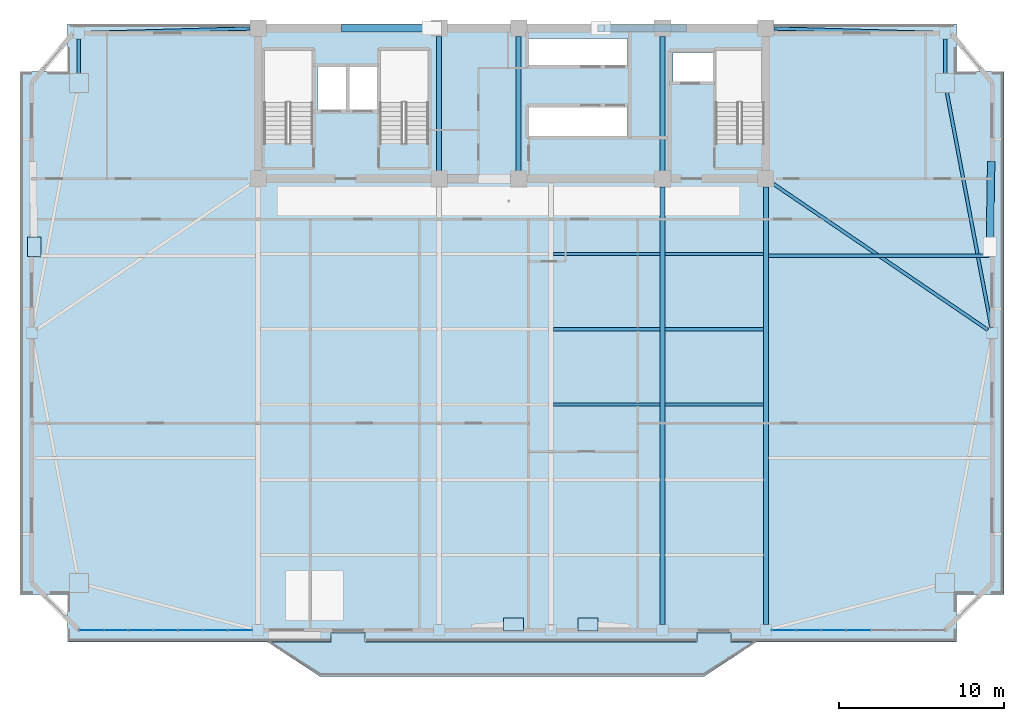
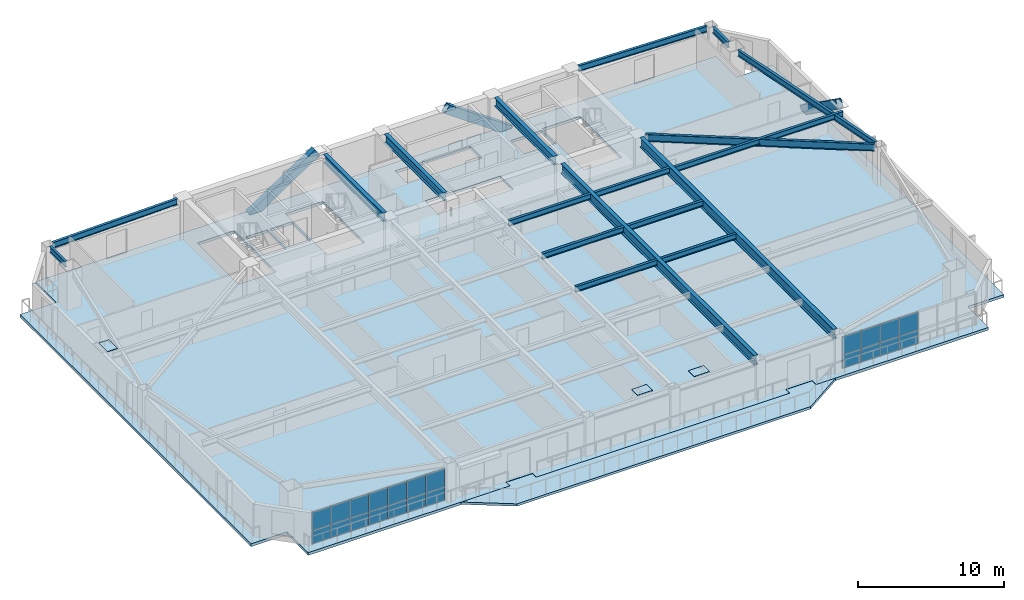
# One storey, part 6 of 15: 25 plates, 18 beams, 3 members, 2 slabs, 2 elements without a shape of their own.
"""IFC4 building model written with IfcOpenShell, lengths in metres."""

from ifc_helpers import new_model, si_unit, direction, frame, origin, origin_2d, place, context, subcontext, project, spatial, polyline, rectangle, hollow_rectangle, i_section, outline, extrude, source, transform, mapped, material, layer, layer_set, material_profile, profile_set, type_object, element, aggregate, save


model = new_model("IFC4")

# Units and contexts
model_context = context("Model", 3, precision=1e-05, world=origin(), true_north=direction((0.0, 1.0)))
body_context = subcontext(model_context, "Body", "Model", "MODEL_VIEW")
ifc_project = project(units=[si_unit("LENGTHUNIT", "METRE"), si_unit("AREAUNIT", "SQUARE_METRE"), si_unit("VOLUMEUNIT", "CUBIC_METRE"), si_unit("PLANEANGLEUNIT", "RADIAN"), si_unit("MASSUNIT", "GRAM", prefix="KILO")], contexts=[model_context])

# Site, building, storey
site_placement = place(None, origin())
site = spatial("IfcSite", under=ifc_project, at=site_placement, CompositionType="ELEMENT")
building_placement = place(site_placement, origin())
building = spatial("IfcBuilding", under=site, at=building_placement, Name="Giltprow Tower", CompositionType="ELEMENT")
storey_placement = place(building_placement, frame((0.0, 0.0, 184.199951171875)))
storey = spatial("IfcBuildingStorey", under=building, at=storey_placement, Name="L46", CompositionType="ELEMENT", Elevation=184.199951171875)

# Beams
ifc_material_1 = material(Name="Structural steel Q355B", Category="steel")
ifc_material_profile_1 = material_profile(ifc_material_1, i_section(OverallWidth=0.199951171875, OverallDepth=0.449951171875, WebThickness=0.009033203125, FlangeThickness=0.013916015625, at=origin_2d()), Name="HN 450x200x9x14")
ifc_profile_set_1 = profile_set([ifc_material_profile_1], Name="Structural steel Q355B")
beam_type_1 = type_object("IfcBeamType", Name="BM-JOIST-HN450", PredefinedType="JOIST", material=ifc_profile_set_1)
shared_shape_1 = source(origin(), body_context, "Body", "SweptSolid", [
    extrude(i_section(OverallWidth=0.199951171875, OverallDepth=0.449951171875, WebThickness=0.009033203125, FlangeThickness=0.013916015625, at=origin_2d()), origin(), (0.0, 0.0, 1.0), 6.4599609375),
])
for number, where, z_axis, x_axis, name in (
    (1, (37.695068359375, 23.802001953125, 3.045166015625), (1.0, 0.0, 0.0), (0.0, 1.0, 0.0), "L46 Composite Floor Joist 3-3"),
    (2, (37.695068359375, 28.35107421875, 3.045166015625), (1.0, 0.0, 0.0), (0.0, 1.0, 0.0), "L46 Composite Floor Joist 4-3"),
    (3, (37.695068359375, 32.90087890625, 3.045166015625), (1.0, 0.0, 0.0), (0.0, 1.0, 0.0), "L46 Composite Floor Joist 5-3"),
):
    element("IfcBeam", number, at=place(storey_placement, frame(where, z_axis=z_axis, x_axis=x_axis)), inside=storey, type_object=beam_type_1, Name=name, PredefinedType="JOIST", context=body_context, shape_type="MappedRepresentation", body=[
        mapped(shared_shape_1, transform((0.0, 0.0, 0.0), x_axis=(1.0, 0.0, 0.0), y_axis=(0.0, 1.0, 0.0), z_axis=(0.0, 0.0, 1.0), scale=1.0)),
    ])
shared_shape_2 = source(origin(), body_context, "Body", "SweptSolid", [
    extrude(i_section(OverallWidth=0.199951171875, OverallDepth=0.449951171875, WebThickness=0.009033203125, FlangeThickness=0.013916015625, at=origin_2d()), origin(), (0.0, 0.0, 1.0), 5.9599609375),
])
for number, where, z_axis, x_axis, name in (
    (4, (44.445068359375, 23.802001953125, 3.045166015625), (1.0, 0.0, 0.0), (0.0, 1.0, 0.0), "L46 Composite Floor Joist 3-4"),
    (5, (44.445068359375, 28.35107421875, 3.045166015625), (1.0, 0.0, 0.0), (0.0, 1.0, 0.0), "L46 Composite Floor Joist 4-4"),
    (6, (44.445068359375, 32.90087890625, 3.045166015625), (1.0, 0.0, 0.0), (0.0, 1.0, 0.0), "L46 Composite Floor Joist 5-4"),
):
    element("IfcBeam", number, at=place(storey_placement, frame(where, z_axis=z_axis, x_axis=x_axis)), inside=storey, type_object=beam_type_1, Name=name, PredefinedType="JOIST", context=body_context, shape_type="MappedRepresentation", body=[
        mapped(shared_shape_2, transform((0.0, 0.0, 0.0), x_axis=(1.0, 0.0, 0.0), y_axis=(0.0, 1.0, 0.0), z_axis=(0.0, 0.0, 1.0), scale=1.0)),
    ])
ifc_material_profile_2 = material_profile(ifc_material_1, i_section(OverallWidth=0.300048828125, OverallDepth=0.699951171875, WebThickness=0.012939453125, FlangeThickness=0.02392578125, at=origin_2d()), Name="HN 700x300x13x24")
ifc_profile_set_2 = profile_set([ifc_material_profile_2], Name="Structural steel Q355B")
beam_type_2 = type_object("IfcBeamType", Name="BM-GIRD-HN700", PredefinedType="BEAM", material=ifc_profile_set_2)
shared_shape_3 = source(origin(), body_context, "Body", "SweptSolid", [
    extrude(i_section(OverallWidth=0.300048828125, OverallDepth=0.699951171875, WebThickness=0.012939453125, FlangeThickness=0.02392578125, at=origin_2d()), origin(), (0.0, 0.0, 1.0), 8.1298828125),
])
for number, where, z_axis, x_axis, name in (
    (7, (30.800048828125, 37.93505859375, 2.920166015625), (0.0, 1.0, 0.0), (-1.0, 0.0, 0.0), "L46 Core Tie Girder M1"),
    (8, (35.60009765625, 37.93505859375, 2.920166015625), (0.0, 1.0, 0.0), (-1.0, 0.0, 0.0), "L46 Core Tie Girder M2"),
    (9, (44.300048828125, 37.93505859375, 2.920166015625), (0.0, 1.0, 0.0), (-1.0, 0.0, 0.0), "L46 Core Tie Girder M3"),
):
    element("IfcBeam", number, at=place(storey_placement, frame(where, z_axis=z_axis, x_axis=x_axis)), inside=storey, type_object=beam_type_2, Name=name, PredefinedType="BEAM", context=body_context, shape_type="MappedRepresentation", body=[
        mapped(shared_shape_3, transform((0.0, 0.0, 0.0), x_axis=(1.0, 0.0, 0.0), y_axis=(0.0, 1.0, 0.0), z_axis=(0.0, 0.0, 1.0), scale=1.0)),
    ])
ifc_material_profile_3 = material_profile(ifc_material_1, i_section(OverallWidth=0.199951171875, OverallDepth=0.5, WebThickness=0.010009765625, FlangeThickness=0.01611328125, at=origin_2d()), Name="HN 500x200x10x16")
ifc_profile_set_3 = profile_set([ifc_material_profile_3], Name="Structural steel Q355B")
beam_type_3 = type_object("IfcBeamType", Name="BM-SPAN-HN500", PredefinedType="SPANDREL", material=ifc_profile_set_3)
shared_shape_4 = source(origin(), body_context, "Body", "SweptSolid", [
    extrude(i_section(OverallWidth=0.199951171875, OverallDepth=0.5, WebThickness=0.010009765625, FlangeThickness=0.01611328125, at=origin_2d()), origin(), (0.0, 0.0, 1.0), 14.46044921875),
])
beam_1_placement = place(storey_placement, frame((64.18505859375, 28.4560546875, 3.02001953125), z_axis=(-0.186021185186, 0.982545733624, 0.0), x_axis=(-0.982545733624, -0.186021185186, 0.0)))
element("IfcBeam", 10, at=beam_1_placement, inside=storey, type_object=beam_type_3, Name="L46 Perimeter Spandrel Beam E_MID-MC_NE", PredefinedType="SPANDREL", context=body_context, shape_type="MappedRepresentation", body=[
    mapped(shared_shape_4, transform((0.0, 0.0, 0.0), x_axis=(1.0, 0.0, 0.0), y_axis=(0.0, 1.0, 0.0), z_axis=(0.0, 0.0, 1.0), scale=1.0)),
])
shared_shape_5 = source(origin(), body_context, "Body", "SweptSolid", [
    extrude(i_section(OverallWidth=0.199951171875, OverallDepth=0.5, WebThickness=0.010009765625, FlangeThickness=0.01611328125, at=origin_2d()), origin(), (0.0, 0.0, 1.0), 2.091064453125),
])
for number, where, z_axis, x_axis, name in (
    (11, (61.385986328125, 43.823974609375, 3.02001953125), (0.0, 1.0, 0.0), (-1.0, 0.0, 0.0), "L46 Perimeter Spandrel Beam MC_NE-N_E"),
    (12, (9.014892578125, 45.9150390625, 3.02001953125), (0.0, -1.0, 0.0), (1.0, 0.0, 0.0), "L46 Perimeter Spandrel Beam N_W-MC_NW"),
):
    element("IfcBeam", number, at=place(storey_placement, frame(where, z_axis=z_axis, x_axis=x_axis)), inside=storey, type_object=beam_type_3, Name=name, PredefinedType="SPANDREL", context=body_context, shape_type="MappedRepresentation", body=[
        mapped(shared_shape_5, transform((0.0, 0.0, 0.0), x_axis=(1.0, 0.0, 0.0), y_axis=(0.0, 1.0, 0.0), z_axis=(0.0, 0.0, 1.0), scale=1.0)),
    ])
shared_shape_6 = source(origin(), body_context, "Body", "SweptSolid", [
    extrude(i_section(OverallWidth=0.199951171875, OverallDepth=0.5, WebThickness=0.010009765625, FlangeThickness=0.01611328125, at=origin_2d()), origin(), (0.0, 0.0, 1.0), 10.018798828125),
])
beam_2_placement = place(storey_placement, frame((9.35009765625, 46.259033203125, 3.02001953125), z_axis=(0.999614739987, 0.027755568827, 0.0), x_axis=(-0.027755568827, 0.999614739987, 0.0)))
element("IfcBeam", 13, at=beam_2_placement, inside=storey, type_object=beam_type_3, Name="L46 North Wing Spandrel W", PredefinedType="SPANDREL", context=body_context, shape_type="MappedRepresentation", body=[
    mapped(shared_shape_6, transform((0.0, 0.0, 0.0), x_axis=(1.0, 0.0, 0.0), y_axis=(0.0, 1.0, 0.0), z_axis=(0.0, 0.0, 1.0), scale=1.0)),
])
shared_shape_7 = source(origin(), body_context, "Body", "SweptSolid", [
    extrude(i_section(OverallWidth=0.199951171875, OverallDepth=0.5, WebThickness=0.010009765625, FlangeThickness=0.01611328125, at=origin_2d()), origin(), (0.0, 0.0, 1.0), 10.02001953125),
])
beam_3_placement = place(storey_placement, frame((51.034912109375, 46.537109375, 3.02001953125), z_axis=(0.999614833833, -0.027752188752, 0.0), x_axis=(0.027752188752, 0.999614833833, 0.0)))
element("IfcBeam", 14, at=beam_3_placement, inside=storey, type_object=beam_type_3, Name="L46 North Wing Spandrel E", PredefinedType="SPANDREL", context=body_context, shape_type="MappedRepresentation", body=[
    mapped(shared_shape_7, transform((0.0, 0.0, 0.0), x_axis=(1.0, 0.0, 0.0), y_axis=(0.0, 1.0, 0.0), z_axis=(0.0, 0.0, 1.0), scale=1.0)),
])
ifc_material_profile_4 = material_profile(ifc_material_1, i_section(OverallWidth=0.300048828125, OverallDepth=0.800048828125, WebThickness=0.013916015625, FlangeThickness=0.02587890625, at=origin_2d()), Name="HN 800x300x14x26")
ifc_profile_set_4 = profile_set([ifc_material_profile_4], Name="Structural steel Q355B")
beam_type_4 = type_object("IfcBeamType", Name="BM-GIRD-HN800", PredefinedType="BEAM", material=ifc_profile_set_4)
shared_shape_8 = source(origin(), body_context, "Body", "SweptSolid", [
    extrude(i_section(OverallWidth=0.300048828125, OverallDepth=0.800048828125, WebThickness=0.013916015625, FlangeThickness=0.02587890625, at=origin_2d()), origin(), (0.0, 0.0, 1.0), 26.47607421875),
])
for number, where, z_axis, x_axis, name in (
    (15, (44.300048828125, 10.489013671875, 2.8701171875), (0.0, 1.0, 0.0), (-1.0, 0.0, 0.0), "L46 Primary Lease Girder S3"),
    (16, (50.550048828125, 10.489013671875, 2.8701171875), (0.0, 1.0, 0.0), (-1.0, 0.0, 0.0), "L46 Primary Lease Girder S4"),
):
    element("IfcBeam", number, at=place(storey_placement, frame(where, z_axis=z_axis, x_axis=x_axis)), inside=storey, type_object=beam_type_4, Name=name, PredefinedType="BEAM", context=body_context, shape_type="MappedRepresentation", body=[
        mapped(shared_shape_8, transform((0.0, 0.0, 0.0), x_axis=(1.0, 0.0, 0.0), y_axis=(0.0, 1.0, 0.0), z_axis=(0.0, 0.0, 1.0), scale=1.0)),
    ])
ifc_material_profile_5 = material_profile(ifc_material_1, i_section(OverallWidth=0.199951171875, OverallDepth=0.60009765625, WebThickness=0.010986328125, FlangeThickness=0.01708984375, at=origin_2d()), Name="HN 600x200x11x17")
ifc_profile_set_5 = profile_set([ifc_material_profile_5], Name="Structural steel Q355B")
beam_type_5 = type_object("IfcBeamType", Name="BM-GIRD-HN600", PredefinedType="BEAM", material=ifc_profile_set_5)
shared_shape_9 = source(origin(), body_context, "Body", "SweptSolid", [
    extrude(i_section(OverallWidth=0.199951171875, OverallDepth=0.60009765625, WebThickness=0.010986328125, FlangeThickness=0.01708984375, at=origin_2d()), origin(), (0.0, 0.0, 1.0), 15.7490234375),
])
beam_4_placement = place(storey_placement, frame((63.969970703125, 28.31494140625, 2.969970703125), z_axis=(-0.826657395896, 0.56270556227, 0.0), x_axis=(-0.56270556227, -0.826657395896, 0.0)))
element("IfcBeam", 17, at=beam_4_placement, inside=storey, type_object=beam_type_5, Name="L46 East Wing Primary Girder", PredefinedType="BEAM", context=body_context, shape_type="MappedRepresentation", body=[
    mapped(shared_shape_9, transform((0.0, 0.0, 0.0), x_axis=(1.0, 0.0, 0.0), y_axis=(0.0, 1.0, 0.0), z_axis=(0.0, 0.0, 1.0), scale=1.0)),
])
shared_shape_10 = source(origin(), body_context, "Body", "SweptSolid", [
    extrude(i_section(OverallWidth=0.199951171875, OverallDepth=0.449951171875, WebThickness=0.009033203125, FlangeThickness=0.013916015625, at=origin_2d()), origin(), (0.0, 0.0, 1.0), 13.33203125),
])
beam_5_placement = place(storey_placement, frame((50.695068359375, 32.7880859375, 3.045166015625), z_axis=(1.0, 0.0, 0.0), x_axis=(0.0, 1.0, 0.0)))
element("IfcBeam", 18, at=beam_5_placement, inside=storey, type_object=beam_type_1, Name="L46 East Wing Floor Joist 2", PredefinedType="JOIST", context=body_context, shape_type="MappedRepresentation", body=[
    mapped(shared_shape_10, transform((0.0, 0.0, 0.0), x_axis=(1.0, 0.0, 0.0), y_axis=(0.0, 1.0, 0.0), z_axis=(0.0, 0.0, 1.0), scale=1.0)),
])

# Members
ifc_material_2 = material(Name="Structural steel Q420GJC", Category="steel")
ifc_material_profile_6 = material_profile(ifc_material_2, hollow_rectangle(XDim=0.449951171875, YDim=0.699951171875, WallThickness=0.031982421875, at=origin_2d()), Name="RHS 700x450x32")
ifc_profile_set_6 = profile_set([ifc_material_profile_6], Name="Structural steel Q420GJC")
member_type = type_object("IfcMemberType", Name="MBR-MEGA-RHS700", PredefinedType="BRACE", material=ifc_profile_set_6)
shared_shape_11 = source(origin(), body_context, "Body", "SweptSolid", [
    extrude(hollow_rectangle(XDim=0.449951171875, YDim=0.699951171875, WallThickness=0.031982421875, at=origin_2d()), origin(), (0.0, 0.0, 1.0), 6.309814453125),
])
member_1_placement = place(storey_placement, frame((25.10009765625, 46.550048828125, -0.139892578125), z_axis=(0.832050294338, 0.0, 0.554700196225), x_axis=(0.0, 1.0, 0.0)))
element("IfcMember", 19, at=member_1_placement, inside=storey, type_object=member_type, Name="L46 Chevron Mega-Brace N-L", PredefinedType="BRACE", context=body_context, shape_type="MappedRepresentation", body=[
    mapped(shared_shape_11, transform((0.0, 0.0, 0.0), x_axis=(1.0, 0.0, 0.0), y_axis=(0.0, 1.0, 0.0), z_axis=(0.0, 0.0, 1.0), scale=1.0)),
])
shared_shape_12 = source(origin(), body_context, "Body", "SweptSolid", [
    extrude(hollow_rectangle(XDim=0.449951171875, YDim=0.699951171875, WallThickness=0.031982421875, at=origin_2d()), origin(), (0.0, 0.0, 1.0), 6.090087890625),
])
member_2_placement = place(storey_placement, frame((45.56689453125, 46.550048828125, -0.139892578125), z_axis=(-0.81836087487, 0.0, 0.574704688064), x_axis=(0.0, -1.0, 0.0)))
element("IfcMember", 20, at=member_2_placement, inside=storey, type_object=member_type, Name="L46 Chevron Mega-Brace N-R", PredefinedType="BRACE", context=body_context, shape_type="MappedRepresentation", body=[
    mapped(shared_shape_12, transform((0.0, 0.0, 0.0), x_axis=(1.0, 0.0, 0.0), y_axis=(0.0, 1.0, 0.0), z_axis=(0.0, 0.0, 1.0), scale=1.0)),
])
shared_shape_13 = source(origin(), body_context, "Body", "SweptSolid", [
    extrude(hollow_rectangle(XDim=0.449951171875, YDim=0.699951171875, WallThickness=0.031982421875, at=origin_2d()), origin(), (0.0, 0.0, 1.0), 6.06201171875),
])
member_3_placement = place(storey_placement, frame((64.1689453125, 38.2890625, 0.0), z_axis=(-0.013008354483, -0.816384996077, 0.577361516638), x_axis=(0.999873076508, -0.015932070629, 0.0)))
element("IfcMember", 21, at=member_3_placement, inside=storey, type_object=member_type, Name="L46 Chevron Mega-Brace E-R", PredefinedType="BRACE", context=body_context, shape_type="MappedRepresentation", body=[
    mapped(shared_shape_13, transform((0.0, 0.0, 0.0), x_axis=(1.0, 0.0, 0.0), y_axis=(0.0, 1.0, 0.0), z_axis=(0.0, 0.0, 1.0), scale=1.0)),
])

# Slabs
ifc_material_3 = material(Name="Concrete C40", Category="concrete")
ifc_layer_1 = layer(ifc_material_3, 0.199951171875, Name="Concrete C40")
ifc_layer_set_1 = layer_set([ifc_layer_1], Name="Concrete C40")
slab_type_1 = type_object("IfcSlabType", Name="SLB-BALC-BRONZE-200", PredefinedType="FLOOR", material=ifc_layer_set_1)
slab_1_placement = place(storey_placement, frame((0.0, 0.0, -0.199951171875)))
element("IfcSlab", 22, at=slab_1_placement, inside=storey, type_object=slab_type_1, Name="L46 Bronze Prow Waterfront Balcony Slab", PredefinedType="FLOOR", context=body_context, shape_type="SweptSolid", body=[
    extrude(outline(polyline([(50.0, 9.4541015625), (46.800048828125, 7.35400390625), (23.60009765625, 7.35400390625), (20.39990234375, 9.4541015625), (24.280029296875, 9.4541015625), (24.280029296875, 9.9541015625), (26.320068359375, 9.9541015625), (26.320068359375, 9.4541015625), (46.3798828125, 9.4541015625), (46.3798828125, 9.9541015625), (48.419921875, 9.9541015625), (48.419921875, 9.4541015625), (50.0, 9.4541015625)])), origin(), (0.0, 0.0, 1.0), 0.199951171875),
])
ifc_layer_2 = layer(ifc_material_3, 0.22998046875, Name="Concrete C40")
ifc_layer_set_2 = layer_set([ifc_layer_2], Name="Concrete C40")
slab_type_2 = type_object("IfcSlabType", Name="SLB-HTL-230", PredefinedType="FLOOR", material=ifc_layer_set_2)
slab_2_placement = place(storey_placement, frame((0.0, 0.0, -0.22998046875)))
element("IfcSlab", 23, at=slab_2_placement, inside=storey, type_object=slab_type_2, Name="L46 Structural Composite Floor Slab", PredefinedType="FLOOR", context=body_context, shape_type="SweptSolid", body=[
    extrude(outline(polyline([(8.31494140625, 9.4541015625), (8.31494140625, 12.31494140625), (5.4541015625, 12.31494140625), (5.4541015625, 43.93896484375), (8.31494140625, 43.93896484375), (8.31494140625, 46.800048828125), (62.0859375, 46.800048828125), (62.0859375, 43.93896484375), (64.947021484375, 43.93896484375), (64.947021484375, 12.31494140625), (62.0859375, 12.31494140625), (62.0859375, 9.4541015625), (48.449951171875, 9.4541015625), (48.449951171875, 9.97412109375), (46.35009765625, 9.97412109375), (46.35009765625, 9.4541015625), (26.35009765625, 9.4541015625), (26.35009765625, 9.97412109375), (24.25, 9.97412109375), (24.25, 9.4541015625), (8.31494140625, 9.4541015625)]), holes=[polyline([(42.169921875, 41.800048828125), (36.239990234375, 41.800048828125), (36.239990234375, 40.0), (42.169921875, 40.0), (42.169921875, 41.800048828125)]), polyline([(23.159912109375, 39.570068359375), (23.159912109375, 45.25), (20.199951171875, 45.25), (20.199951171875, 39.570068359375), (23.159912109375, 39.570068359375)]), polyline([(30.159912109375, 39.570068359375), (30.159912109375, 45.25), (27.199951171875, 45.25), (27.199951171875, 39.570068359375), (30.159912109375, 39.570068359375)]), polyline([(50.4599609375, 45.25), (47.5, 45.25), (47.5, 39.570068359375), (50.4599609375, 39.570068359375), (50.4599609375, 45.25)]), polyline([(25.169921875, 44.199951171875), (23.449951171875, 44.199951171875), (23.449951171875, 41.60009765625), (25.169921875, 41.60009765625), (25.169921875, 44.199951171875)]), polyline([(27.10009765625, 44.199951171875), (25.35009765625, 44.199951171875), (25.35009765625, 41.60009765625), (27.10009765625, 41.60009765625), (27.10009765625, 44.199951171875)]), polyline([(47.3798828125, 43.300048828125), (47.3798828125, 45.10009765625), (44.919921875, 45.10009765625), (44.919921875, 43.300048828125), (47.3798828125, 43.300048828125)]), polyline([(42.169921875, 44.300048828125), (42.169921875, 45.919921875), (36.239990234375, 45.919921875), (36.239990234375, 44.300048828125), (42.169921875, 44.300048828125)])]), origin(), (0.0, 0.0, 1.0), 0.22998046875),
])

# Plates
plate_type_1 = type_object("IfcPlateType", Name="PLT-CAP-SEAL", PredefinedType="USERDEFINED", material=ifc_material_2)
shared_shape_14 = source(origin(), body_context, "Body", "SweptSolid", [
    extrude(rectangle(XDim=1.199951171875, YDim=0.800048828125, at=origin_2d()), origin(), (0.0, 0.0, 1.0), 0.034912109375),
])
for number, where, z_axis, x_axis, name in (
    (24, (35.300048828125, 10.5048828125, 3.482421875), (0.0, 0.0, 1.0), (1.0, 0.0, 0.0), "Mega-Brace Node L46-S-LB"),
    (25, (39.800048828125, 10.5048828125, 3.482421875), (0.0, 0.0, 1.0), (1.0, 0.0, 0.0), "Mega-Brace Node L46-S-RB"),
    (26, (6.31103515625, 33.340087890625, 3.482421875), (0.0, 0.0, 1.0), (0.0, 1.0, 0.0), "Mega-Brace Node L46-W-RB"),
):
    element("IfcPlate", number, at=place(storey_placement, frame(where, z_axis=z_axis, x_axis=x_axis)), inside=storey, type_object=plate_type_1, Name=name, ObjectType="SPLICE", PredefinedType="USERDEFINED", context=body_context, shape_type="MappedRepresentation", body=[
        mapped(shared_shape_14, transform((0.0, 0.0, 0.0), x_axis=(1.0, 0.0, 0.0), y_axis=(0.0, 1.0, 0.0), z_axis=(0.0, 0.0, 1.0), scale=1.0)),
    ])

# Curtain wall, plates
ifc_material_4 = material(Name="Anodized bronze", Category="metal")
ifc_layer_3 = layer(ifc_material_4, 0.179931640625, Name="Anodized bronze")
ifc_layer_set_3 = layer_set([ifc_layer_3], Name="Anodized bronze")
curtain_wall_type = type_object("IfcCurtainWallType", Name="CW-HTL-BRONZE", PredefinedType="NOTDEFINED", material=ifc_layer_set_3)
curtain_wall_1_placement = place(storey_placement, origin())
curtain_wall_1 = element("IfcCurtainWall", 27, at=curtain_wall_1_placement, inside=storey, type_object=curtain_wall_type, Name="L46 South Recessed Curtain Wall 1", PredefinedType="NOTDEFINED")
ifc_material_5 = material(Name="Insulated glass", Category="glass")
plate_type_2 = type_object("IfcPlateType", Name="CW-PANEL-IGU-28", PredefinedType="CURTAIN_PANEL", material=ifc_material_5)
shared_shape_15 = source(origin(), body_context, "Body", "SweptSolid", [
    extrude(rectangle(XDim=1.468017578125, YDim=0.028076171875, at=origin_2d()), origin(), (0.0, 0.0, 1.0), 1.0869140625),
])
plate_1_placement = place(storey_placement, frame((9.763916015625, 10.154052734375, 0.0546875), z_axis=(0.0, 0.0, 1.0), x_axis=(1.0, 0.0, 0.0)))
plate_1 = element("IfcPlate", 28, at=plate_1_placement, type_object=plate_type_2, Name="L46 South Recessed Curtain Wall 1 Glazing Panel 1-1", PredefinedType="CURTAIN_PANEL", context=body_context, shape_type="MappedRepresentation", body=[
    mapped(shared_shape_15, transform((0.0, 0.0, 0.0), x_axis=(1.0, 0.0, 0.0), y_axis=(0.0, 1.0, 0.0), z_axis=(0.0, 0.0, 1.0), scale=1.0)),
])
plate_2_placement = place(storey_placement, frame((11.261962890625, 10.154052734375, 0.0546875), z_axis=(0.0, 0.0, 1.0), x_axis=(1.0, 0.0, 0.0)))
plate_2 = element("IfcPlate", 29, at=plate_2_placement, type_object=plate_type_2, Name="L46 South Recessed Curtain Wall 1 Glazing Panel 2-1", PredefinedType="CURTAIN_PANEL", context=body_context, shape_type="MappedRepresentation", body=[
    mapped(shared_shape_15, transform((0.0, 0.0, 0.0), x_axis=(1.0, 0.0, 0.0), y_axis=(0.0, 1.0, 0.0), z_axis=(0.0, 0.0, 1.0), scale=1.0)),
])
plate_3_placement = place(storey_placement, frame((12.760009765625, 10.154052734375, 0.0546875), z_axis=(0.0, 0.0, 1.0), x_axis=(1.0, 0.0, 0.0)))
plate_3 = element("IfcPlate", 30, at=plate_3_placement, type_object=plate_type_2, Name="L46 South Recessed Curtain Wall 1 Glazing Panel 3-1", PredefinedType="CURTAIN_PANEL", context=body_context, shape_type="MappedRepresentation", body=[
    mapped(shared_shape_15, transform((0.0, 0.0, 0.0), x_axis=(1.0, 0.0, 0.0), y_axis=(0.0, 1.0, 0.0), z_axis=(0.0, 0.0, 1.0), scale=1.0)),
])
plate_4_placement = place(storey_placement, frame((14.258056640625, 10.154052734375, 0.0546875), z_axis=(0.0, 0.0, 1.0), x_axis=(1.0, 0.0, 0.0)))
plate_4 = element("IfcPlate", 31, at=plate_4_placement, type_object=plate_type_2, Name="L46 South Recessed Curtain Wall 1 Glazing Panel 4-1", PredefinedType="CURTAIN_PANEL", context=body_context, shape_type="MappedRepresentation", body=[
    mapped(shared_shape_15, transform((0.0, 0.0, 0.0), x_axis=(1.0, 0.0, 0.0), y_axis=(0.0, 1.0, 0.0), z_axis=(0.0, 0.0, 1.0), scale=1.0)),
])
plate_5_placement = place(storey_placement, frame((15.7548828125, 10.154052734375, 0.0546875), z_axis=(0.0, 0.0, 1.0), x_axis=(1.0, 0.0, 0.0)))
plate_5 = element("IfcPlate", 32, at=plate_5_placement, type_object=plate_type_2, Name="L46 South Recessed Curtain Wall 1 Glazing Panel 5-1", PredefinedType="CURTAIN_PANEL", context=body_context, shape_type="MappedRepresentation", body=[
    mapped(shared_shape_15, transform((0.0, 0.0, 0.0), x_axis=(1.0, 0.0, 0.0), y_axis=(0.0, 1.0, 0.0), z_axis=(0.0, 0.0, 1.0), scale=1.0)),
])
plate_6_placement = place(storey_placement, frame((17.2529296875, 10.154052734375, 0.0546875), z_axis=(0.0, 0.0, 1.0), x_axis=(1.0, 0.0, 0.0)))
plate_6 = element("IfcPlate", 33, at=plate_6_placement, type_object=plate_type_2, Name="L46 South Recessed Curtain Wall 1 Glazing Panel 6-1", PredefinedType="CURTAIN_PANEL", context=body_context, shape_type="MappedRepresentation", body=[
    mapped(shared_shape_15, transform((0.0, 0.0, 0.0), x_axis=(1.0, 0.0, 0.0), y_axis=(0.0, 1.0, 0.0), z_axis=(0.0, 0.0, 1.0), scale=1.0)),
])
plate_7_placement = place(storey_placement, frame((18.7509765625, 10.154052734375, 0.0546875), z_axis=(0.0, 0.0, 1.0), x_axis=(1.0, 0.0, 0.0)))
plate_7 = element("IfcPlate", 34, at=plate_7_placement, type_object=plate_type_2, Name="L46 South Recessed Curtain Wall 1 Glazing Panel 7-1", PredefinedType="CURTAIN_PANEL", context=body_context, shape_type="MappedRepresentation", body=[
    mapped(shared_shape_15, transform((0.0, 0.0, 0.0), x_axis=(1.0, 0.0, 0.0), y_axis=(0.0, 1.0, 0.0), z_axis=(0.0, 0.0, 1.0), scale=1.0)),
])

curtain_wall_2_placement = place(storey_placement, origin())
curtain_wall_2 = element("IfcCurtainWall", 35, at=curtain_wall_2_placement, inside=storey, type_object=curtain_wall_type, Name="L46 South Recessed Curtain Wall 6", PredefinedType="NOTDEFINED")
plate_8_placement = place(storey_placement, frame((51.64892578125, 10.154052734375, 0.0546875), z_axis=(0.0, 0.0, 1.0), x_axis=(1.0, 0.0, 0.0)))
plate_8 = element("IfcPlate", 36, at=plate_8_placement, type_object=plate_type_2, Name="L46 South Recessed Curtain Wall 6 Glazing Panel 1-1", PredefinedType="CURTAIN_PANEL", context=body_context, shape_type="MappedRepresentation", body=[
    mapped(shared_shape_15, transform((0.0, 0.0, 0.0), x_axis=(1.0, 0.0, 0.0), y_axis=(0.0, 1.0, 0.0), z_axis=(0.0, 0.0, 1.0), scale=1.0)),
])
plate_9_placement = place(storey_placement, frame((53.14697265625, 10.154052734375, 0.0546875), z_axis=(0.0, 0.0, 1.0), x_axis=(1.0, 0.0, 0.0)))
plate_9 = element("IfcPlate", 37, at=plate_9_placement, type_object=plate_type_2, Name="L46 South Recessed Curtain Wall 6 Glazing Panel 2-1", PredefinedType="CURTAIN_PANEL", context=body_context, shape_type="MappedRepresentation", body=[
    mapped(shared_shape_15, transform((0.0, 0.0, 0.0), x_axis=(1.0, 0.0, 0.0), y_axis=(0.0, 1.0, 0.0), z_axis=(0.0, 0.0, 1.0), scale=1.0)),
])
plate_10_placement = place(storey_placement, frame((54.64501953125, 10.154052734375, 0.0546875), z_axis=(0.0, 0.0, 1.0), x_axis=(1.0, 0.0, 0.0)))
plate_10 = element("IfcPlate", 38, at=plate_10_placement, type_object=plate_type_2, Name="L46 South Recessed Curtain Wall 6 Glazing Panel 3-1", PredefinedType="CURTAIN_PANEL", context=body_context, shape_type="MappedRepresentation", body=[
    mapped(shared_shape_15, transform((0.0, 0.0, 0.0), x_axis=(1.0, 0.0, 0.0), y_axis=(0.0, 1.0, 0.0), z_axis=(0.0, 0.0, 1.0), scale=1.0)),
])
plate_11_placement = place(storey_placement, frame((56.14306640625, 10.154052734375, 0.0546875), z_axis=(0.0, 0.0, 1.0), x_axis=(1.0, 0.0, 0.0)))
plate_11 = element("IfcPlate", 39, at=plate_11_placement, type_object=plate_type_2, Name="L46 South Recessed Curtain Wall 6 Glazing Panel 4-1", PredefinedType="CURTAIN_PANEL", context=body_context, shape_type="MappedRepresentation", body=[
    mapped(shared_shape_15, transform((0.0, 0.0, 0.0), x_axis=(1.0, 0.0, 0.0), y_axis=(0.0, 1.0, 0.0), z_axis=(0.0, 0.0, 1.0), scale=1.0)),
])

# Plate
shared_shape_16 = source(origin(), body_context, "Body", "SweptSolid", [
    extrude(rectangle(XDim=1.468017578125, YDim=0.028076171875, at=origin_2d()), origin(), (0.0, 0.0, 1.0), 1.527099609375),
])
plate_12_placement = place(storey_placement, frame((9.763916015625, 10.154052734375, 1.16845703125), z_axis=(0.0, 0.0, 1.0), x_axis=(1.0, 0.0, 0.0)))
plate_12 = element("IfcPlate", 40, at=plate_12_placement, type_object=plate_type_2, Name="L46 South Recessed Curtain Wall 1 Glazing Panel 1-2", PredefinedType="CURTAIN_PANEL", context=body_context, shape_type="MappedRepresentation", body=[
    mapped(shared_shape_16, transform((0.0, 0.0, 0.0), x_axis=(1.0, 0.0, 0.0), y_axis=(0.0, 1.0, 0.0), z_axis=(0.0, 0.0, 1.0), scale=1.0)),
])

plate_13_placement = place(storey_placement, frame((11.261962890625, 10.154052734375, 1.16845703125), z_axis=(0.0, 0.0, 1.0), x_axis=(1.0, 0.0, 0.0)))
plate_13 = element("IfcPlate", 41, at=plate_13_placement, type_object=plate_type_2, Name="L46 South Recessed Curtain Wall 1 Glazing Panel 2-2", PredefinedType="CURTAIN_PANEL", context=body_context, shape_type="MappedRepresentation", body=[
    mapped(shared_shape_16, transform((0.0, 0.0, 0.0), x_axis=(1.0, 0.0, 0.0), y_axis=(0.0, 1.0, 0.0), z_axis=(0.0, 0.0, 1.0), scale=1.0)),
])

plate_14_placement = place(storey_placement, frame((12.760009765625, 10.154052734375, 1.16845703125), z_axis=(0.0, 0.0, 1.0), x_axis=(1.0, 0.0, 0.0)))
plate_14 = element("IfcPlate", 42, at=plate_14_placement, type_object=plate_type_2, Name="L46 South Recessed Curtain Wall 1 Glazing Panel 3-2", PredefinedType="CURTAIN_PANEL", context=body_context, shape_type="MappedRepresentation", body=[
    mapped(shared_shape_16, transform((0.0, 0.0, 0.0), x_axis=(1.0, 0.0, 0.0), y_axis=(0.0, 1.0, 0.0), z_axis=(0.0, 0.0, 1.0), scale=1.0)),
])

plate_15_placement = place(storey_placement, frame((14.258056640625, 10.154052734375, 1.16845703125), z_axis=(0.0, 0.0, 1.0), x_axis=(1.0, 0.0, 0.0)))
plate_15 = element("IfcPlate", 43, at=plate_15_placement, type_object=plate_type_2, Name="L46 South Recessed Curtain Wall 1 Glazing Panel 4-2", PredefinedType="CURTAIN_PANEL", context=body_context, shape_type="MappedRepresentation", body=[
    mapped(shared_shape_16, transform((0.0, 0.0, 0.0), x_axis=(1.0, 0.0, 0.0), y_axis=(0.0, 1.0, 0.0), z_axis=(0.0, 0.0, 1.0), scale=1.0)),
])

plate_16_placement = place(storey_placement, frame((15.7548828125, 10.154052734375, 1.16845703125), z_axis=(0.0, 0.0, 1.0), x_axis=(1.0, 0.0, 0.0)))
plate_16 = element("IfcPlate", 44, at=plate_16_placement, type_object=plate_type_2, Name="L46 South Recessed Curtain Wall 1 Glazing Panel 5-2", PredefinedType="CURTAIN_PANEL", context=body_context, shape_type="MappedRepresentation", body=[
    mapped(shared_shape_16, transform((0.0, 0.0, 0.0), x_axis=(1.0, 0.0, 0.0), y_axis=(0.0, 1.0, 0.0), z_axis=(0.0, 0.0, 1.0), scale=1.0)),
])

plate_17_placement = place(storey_placement, frame((17.2529296875, 10.154052734375, 1.16845703125), z_axis=(0.0, 0.0, 1.0), x_axis=(1.0, 0.0, 0.0)))
plate_17 = element("IfcPlate", 45, at=plate_17_placement, type_object=plate_type_2, Name="L46 South Recessed Curtain Wall 1 Glazing Panel 6-2", PredefinedType="CURTAIN_PANEL", context=body_context, shape_type="MappedRepresentation", body=[
    mapped(shared_shape_16, transform((0.0, 0.0, 0.0), x_axis=(1.0, 0.0, 0.0), y_axis=(0.0, 1.0, 0.0), z_axis=(0.0, 0.0, 1.0), scale=1.0)),
])

plate_18_placement = place(storey_placement, frame((18.7509765625, 10.154052734375, 1.16845703125), z_axis=(0.0, 0.0, 1.0), x_axis=(1.0, 0.0, 0.0)))
plate_18 = element("IfcPlate", 46, at=plate_18_placement, type_object=plate_type_2, Name="L46 South Recessed Curtain Wall 1 Glazing Panel 7-2", PredefinedType="CURTAIN_PANEL", context=body_context, shape_type="MappedRepresentation", body=[
    mapped(shared_shape_16, transform((0.0, 0.0, 0.0), x_axis=(1.0, 0.0, 0.0), y_axis=(0.0, 1.0, 0.0), z_axis=(0.0, 0.0, 1.0), scale=1.0)),
])

aggregate(curtain_wall_1, [plate_1, plate_12, plate_2, plate_13, plate_3, plate_14, plate_4, plate_15, plate_5, plate_16, plate_6, plate_17, plate_7, plate_18])

plate_19_placement = place(storey_placement, frame((51.64892578125, 10.154052734375, 1.16845703125), z_axis=(0.0, 0.0, 1.0), x_axis=(1.0, 0.0, 0.0)))
plate_19 = element("IfcPlate", 47, at=plate_19_placement, type_object=plate_type_2, Name="L46 South Recessed Curtain Wall 6 Glazing Panel 1-2", PredefinedType="CURTAIN_PANEL", context=body_context, shape_type="MappedRepresentation", body=[
    mapped(shared_shape_16, transform((0.0, 0.0, 0.0), x_axis=(1.0, 0.0, 0.0), y_axis=(0.0, 1.0, 0.0), z_axis=(0.0, 0.0, 1.0), scale=1.0)),
])

plate_20_placement = place(storey_placement, frame((53.14697265625, 10.154052734375, 1.16845703125), z_axis=(0.0, 0.0, 1.0), x_axis=(1.0, 0.0, 0.0)))
plate_20 = element("IfcPlate", 48, at=plate_20_placement, type_object=plate_type_2, Name="L46 South Recessed Curtain Wall 6 Glazing Panel 2-2", PredefinedType="CURTAIN_PANEL", context=body_context, shape_type="MappedRepresentation", body=[
    mapped(shared_shape_16, transform((0.0, 0.0, 0.0), x_axis=(1.0, 0.0, 0.0), y_axis=(0.0, 1.0, 0.0), z_axis=(0.0, 0.0, 1.0), scale=1.0)),
])

plate_21_placement = place(storey_placement, frame((54.64501953125, 10.154052734375, 1.16845703125), z_axis=(0.0, 0.0, 1.0), x_axis=(1.0, 0.0, 0.0)))
plate_21 = element("IfcPlate", 49, at=plate_21_placement, type_object=plate_type_2, Name="L46 South Recessed Curtain Wall 6 Glazing Panel 3-2", PredefinedType="CURTAIN_PANEL", context=body_context, shape_type="MappedRepresentation", body=[
    mapped(shared_shape_16, transform((0.0, 0.0, 0.0), x_axis=(1.0, 0.0, 0.0), y_axis=(0.0, 1.0, 0.0), z_axis=(0.0, 0.0, 1.0), scale=1.0)),
])

plate_22_placement = place(storey_placement, frame((56.14306640625, 10.154052734375, 1.16845703125), z_axis=(0.0, 0.0, 1.0), x_axis=(1.0, 0.0, 0.0)))
plate_22 = element("IfcPlate", 50, at=plate_22_placement, type_object=plate_type_2, Name="L46 South Recessed Curtain Wall 6 Glazing Panel 4-2", PredefinedType="CURTAIN_PANEL", context=body_context, shape_type="MappedRepresentation", body=[
    mapped(shared_shape_16, transform((0.0, 0.0, 0.0), x_axis=(1.0, 0.0, 0.0), y_axis=(0.0, 1.0, 0.0), z_axis=(0.0, 0.0, 1.0), scale=1.0)),
])

aggregate(curtain_wall_2, [plate_8, plate_19, plate_9, plate_20, plate_10, plate_21, plate_11, plate_22])

save(model, "model.ifc")
